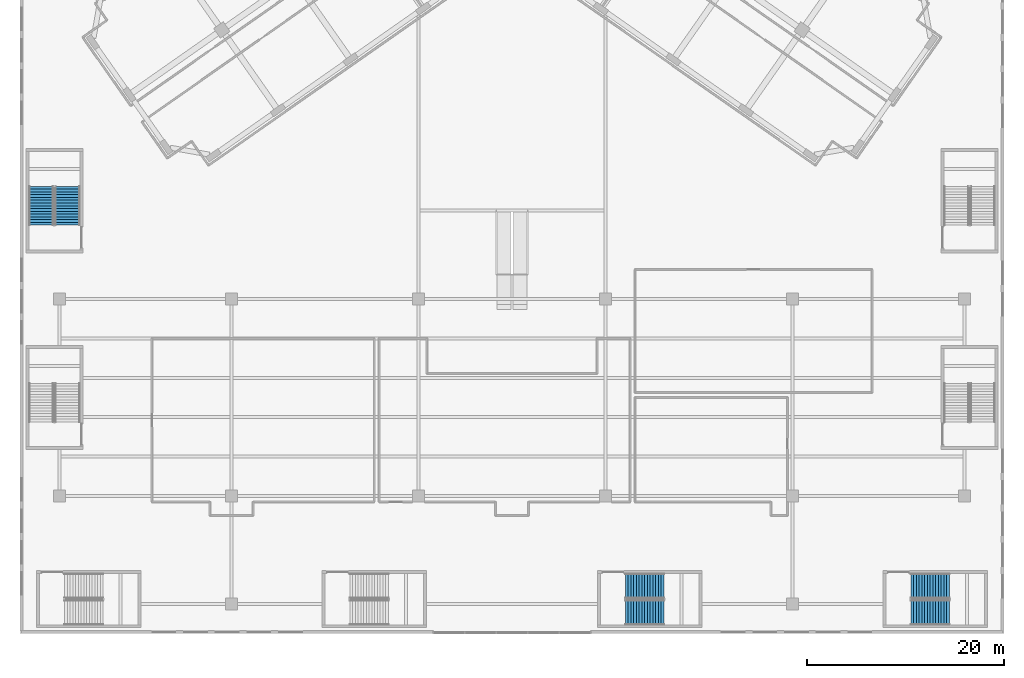
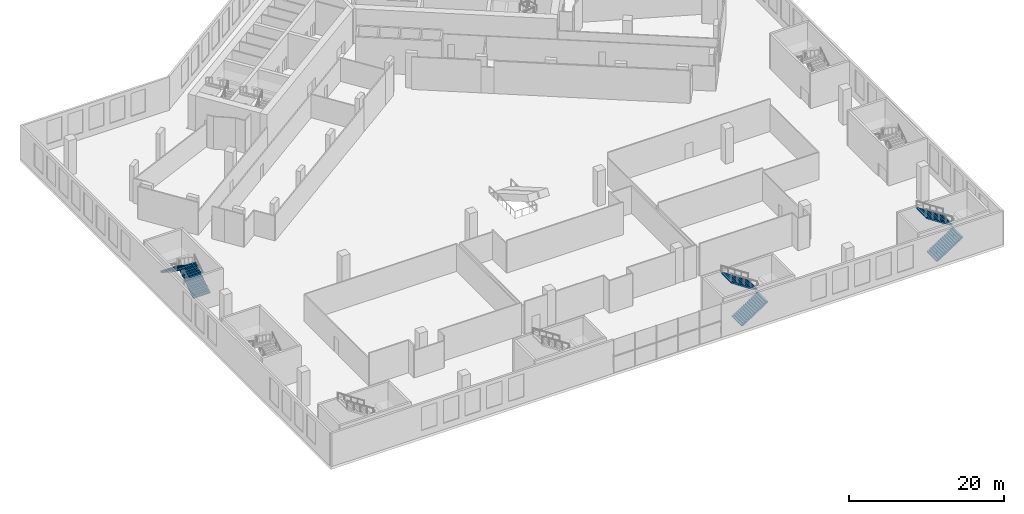
# One storey, part 14 of 26: 6 stair flights, 3 elements without a shape of their own.
"""IFC4 building model written with IfcOpenShell, lengths in metres."""

from ifc_helpers import new_model, si_unit, direction, frame, origin, place, context, subcontext, project, spatial, polyline, outline, extrude, material, type_object, element, aggregate, save


model = new_model("IFC4")

# Units and contexts
model_context = context("Model", 3, precision=1e-05, world=origin(), true_north=direction((0.0, 1.0)))
body_context = subcontext(model_context, "Body", "Model", "MODEL_VIEW")
ifc_project = project(units=[si_unit("LENGTHUNIT", "METRE"), si_unit("AREAUNIT", "SQUARE_METRE"), si_unit("VOLUMEUNIT", "CUBIC_METRE"), si_unit("PLANEANGLEUNIT", "RADIAN"), si_unit("MASSUNIT", "GRAM", prefix="KILO")], contexts=[model_context])

# Site, building, storey
site_placement = place(None, origin())
site = spatial("IfcSite", under=ifc_project, at=site_placement, CompositionType="ELEMENT")
building_placement = place(site_placement, origin())
building = spatial("IfcBuilding", under=site, at=building_placement, Name="Tel Ilan Convention Tower", CompositionType="ELEMENT")
storey_placement = place(building_placement, frame((0.0, 0.0, 37.5)))
storey = spatial("IfcBuildingStorey", under=building, at=storey_placement, Name="L05", CompositionType="ELEMENT", Elevation=37.5)

# Stair, stair flights
ifc_material_1 = material(Name="Concrete C40/50", Category="concrete")
stair_type = type_object("IfcStairType", Name="Pressurised Exit Stair 30 risers 183 mm", PredefinedType="HALF_TURN_STAIR", material=ifc_material_1)
stair_1_placement = place(storey_placement, origin())
stair_1 = element("IfcStair", 1, at=stair_1_placement, inside=storey, type_object=stair_type, Name="L05 Podium Exit Stair P3", PredefinedType="HALF_TURN_STAIR")
ifc_material_2 = material(Name="Precast Concrete C40/50", Category="concrete")
stair_flight_type = type_object("IfcStairFlightType", Name="Concrete Stair Flight 2525 mm 30 risers 183 mm", PredefinedType="STRAIGHT", material=ifc_material_2)
stair_flight_1_placement = place(storey_placement, frame((11.52490234375, -79.83740234375, 0.0), z_axis=(0.0, 0.0, 1.0), x_axis=(1.0, 0.0, 0.0)))
stair_flight_1 = element("IfcStairFlight", 2, at=stair_flight_1_placement, type_object=stair_flight_type, Name="P3 flight 1", NumberOfRisers=15, NumberOfTreads=14, PredefinedType="STRAIGHT", RiserHeight=0.183333333, TreadLength=0.28, context=body_context, shape_type="SweptSolid", body=[
    extrude(outline(polyline([(0.0, 0.0), (0.0, 0.183349609375), (0.280029296875, 0.183349609375), (0.280029296875, 0.36669921875), (0.56005859375, 0.36669921875), (0.56005859375, 0.550048828125), (0.840087890625, 0.550048828125), (0.840087890625, 0.7333984375), (1.1201171875, 0.7333984375), (1.1201171875, 0.916748046875), (1.39990234375, 0.916748046875), (1.39990234375, 1.10009765625), (1.679931640625, 1.10009765625), (1.679931640625, 1.283447265625), (1.9599609375, 1.283447265625), (1.9599609375, 1.466552734375), (2.239990234375, 1.466552734375), (2.239990234375, 1.64990234375), (2.52001953125, 1.64990234375), (2.52001953125, 1.833251953125), (2.800048828125, 1.833251953125), (2.800048828125, 2.0166015625), (3.080078125, 2.0166015625), (3.080078125, 2.199951171875), (3.360107421875, 2.199951171875), (3.360107421875, 2.38330078125), (3.639892578125, 2.38330078125), (3.639892578125, 2.566650390625), (3.919921875, 2.566650390625), (3.919921875, 2.75), (3.919921875, 2.387451171875), (0.273681640625, 0.0), (0.0, 0.0)])), frame((0.0, -0.100341796875, 0.0), z_axis=(0.0, -1.0, 0.0), x_axis=(1.0, 0.0, 0.0)), (0.0, 0.0, 1.0), 1.162109375),
    extrude(outline(polyline([(0.0, 0.0), (0.0, 0.183349609375), (0.280029296875, 0.183349609375), (0.280029296875, 0.36669921875), (0.56005859375, 0.36669921875), (0.56005859375, 0.550048828125), (0.840087890625, 0.550048828125), (0.840087890625, 0.7333984375), (1.1201171875, 0.7333984375), (1.1201171875, 0.916748046875), (1.39990234375, 0.916748046875), (1.39990234375, 1.10009765625), (1.679931640625, 1.10009765625), (1.679931640625, 1.283447265625), (1.9599609375, 1.283447265625), (1.9599609375, 1.466552734375), (2.239990234375, 1.466552734375), (2.239990234375, 1.64990234375), (2.52001953125, 1.64990234375), (2.52001953125, 1.833251953125), (2.800048828125, 1.833251953125), (2.800048828125, 2.0166015625), (3.080078125, 2.0166015625), (3.080078125, 2.199951171875), (3.360107421875, 2.199951171875), (3.360107421875, 2.38330078125), (3.639892578125, 2.38330078125), (3.639892578125, 2.566650390625), (3.919921875, 2.566650390625), (3.919921875, 2.75), (3.919921875, 2.387451171875), (0.273681640625, 0.0), (0.0, 0.0)])), frame((0.0, -0.000244140625, 0.0), z_axis=(0.0, -1.0, 0.0), x_axis=(1.0, 0.0, 0.0)), (0.0, 0.0, 1.0), 0.099609375),
    extrude(outline(polyline([(0.0, 0.0), (0.0, 0.183349609375), (0.280029296875, 0.183349609375), (0.280029296875, 0.36669921875), (0.56005859375, 0.36669921875), (0.56005859375, 0.550048828125), (0.840087890625, 0.550048828125), (0.840087890625, 0.7333984375), (1.1201171875, 0.7333984375), (1.1201171875, 0.916748046875), (1.39990234375, 0.916748046875), (1.39990234375, 1.10009765625), (1.679931640625, 1.10009765625), (1.679931640625, 1.283447265625), (1.9599609375, 1.283447265625), (1.9599609375, 1.466552734375), (2.239990234375, 1.466552734375), (2.239990234375, 1.64990234375), (2.52001953125, 1.64990234375), (2.52001953125, 1.833251953125), (2.800048828125, 1.833251953125), (2.800048828125, 2.0166015625), (3.080078125, 2.0166015625), (3.080078125, 2.199951171875), (3.360107421875, 2.199951171875), (3.360107421875, 2.38330078125), (3.639892578125, 2.38330078125), (3.639892578125, 2.566650390625), (3.919921875, 2.566650390625), (3.919921875, 2.75), (3.919921875, 2.387451171875), (0.273681640625, 0.0), (0.0, 0.0)])), frame((0.0, 0.099853515625, 0.0), z_axis=(0.0, -1.0, 0.0), x_axis=(1.0, 0.0, 0.0)), (0.0, 0.0, 1.0), 0.099609375),
    extrude(outline(polyline([(0.0, 0.0), (0.0, 0.183349609375), (0.280029296875, 0.183349609375), (0.280029296875, 0.36669921875), (0.56005859375, 0.36669921875), (0.56005859375, 0.550048828125), (0.840087890625, 0.550048828125), (0.840087890625, 0.7333984375), (1.1201171875, 0.7333984375), (1.1201171875, 0.916748046875), (1.39990234375, 0.916748046875), (1.39990234375, 1.10009765625), (1.679931640625, 1.10009765625), (1.679931640625, 1.283447265625), (1.9599609375, 1.283447265625), (1.9599609375, 1.466552734375), (2.239990234375, 1.466552734375), (2.239990234375, 1.64990234375), (2.52001953125, 1.64990234375), (2.52001953125, 1.833251953125), (2.800048828125, 1.833251953125), (2.800048828125, 2.0166015625), (3.080078125, 2.0166015625), (3.080078125, 2.199951171875), (3.360107421875, 2.199951171875), (3.360107421875, 2.38330078125), (3.639892578125, 2.38330078125), (3.639892578125, 2.566650390625), (3.919921875, 2.566650390625), (3.919921875, 2.75), (3.919921875, 2.387451171875), (0.273681640625, 0.0), (0.0, 0.0)])), frame((0.0, 1.262451171875, 0.0), z_axis=(0.0, -1.0, 0.0), x_axis=(1.0, 0.0, 0.0)), (0.0, 0.0, 1.0), 1.162109375),
])
stair_flight_2_placement = place(storey_placement, frame((15.445068359375, -77.16259765625, 2.75), z_axis=(0.0, 0.0, 1.0), x_axis=(-1.0, 0.0, 0.0)))
stair_flight_2 = element("IfcStairFlight", 3, at=stair_flight_2_placement, type_object=stair_flight_type, Name="P3 flight 2", NumberOfRisers=15, NumberOfTreads=14, PredefinedType="STRAIGHT", RiserHeight=0.183333333, TreadLength=0.28, context=body_context, shape_type="SweptSolid", body=[
    extrude(outline(polyline([(0.0, 0.0), (0.0, 0.183349609375), (0.280029296875, 0.183349609375), (0.280029296875, 0.36669921875), (0.56005859375, 0.36669921875), (0.56005859375, 0.550048828125), (0.840087890625, 0.550048828125), (0.840087890625, 0.7333984375), (1.1201171875, 0.7333984375), (1.1201171875, 0.916748046875), (1.39990234375, 0.916748046875), (1.39990234375, 1.10009765625), (1.679931640625, 1.10009765625), (1.679931640625, 1.283447265625), (1.9599609375, 1.283447265625), (1.9599609375, 1.466552734375), (2.239990234375, 1.466552734375), (2.239990234375, 1.64990234375), (2.52001953125, 1.64990234375), (2.52001953125, 1.833251953125), (2.800048828125, 1.833251953125), (2.800048828125, 2.0166015625), (3.080078125, 2.0166015625), (3.080078125, 2.199951171875), (3.360107421875, 2.199951171875), (3.360107421875, 2.38330078125), (3.639892578125, 2.38330078125), (3.639892578125, 2.566650390625), (3.919921875, 2.566650390625), (3.919921875, 2.75), (3.919921875, 2.387451171875), (0.273681640625, 0.0), (0.0, 0.0)])), frame((0.0, -0.100341796875, 0.0), z_axis=(0.0, -1.0, 0.0), x_axis=(1.0, 0.0, 0.0)), (0.0, 0.0, 1.0), 1.162109375),
    extrude(outline(polyline([(0.0, 0.0), (0.0, 0.183349609375), (0.280029296875, 0.183349609375), (0.280029296875, 0.36669921875), (0.56005859375, 0.36669921875), (0.56005859375, 0.550048828125), (0.840087890625, 0.550048828125), (0.840087890625, 0.7333984375), (1.1201171875, 0.7333984375), (1.1201171875, 0.916748046875), (1.39990234375, 0.916748046875), (1.39990234375, 1.10009765625), (1.679931640625, 1.10009765625), (1.679931640625, 1.283447265625), (1.9599609375, 1.283447265625), (1.9599609375, 1.466552734375), (2.239990234375, 1.466552734375), (2.239990234375, 1.64990234375), (2.52001953125, 1.64990234375), (2.52001953125, 1.833251953125), (2.800048828125, 1.833251953125), (2.800048828125, 2.0166015625), (3.080078125, 2.0166015625), (3.080078125, 2.199951171875), (3.360107421875, 2.199951171875), (3.360107421875, 2.38330078125), (3.639892578125, 2.38330078125), (3.639892578125, 2.566650390625), (3.919921875, 2.566650390625), (3.919921875, 2.75), (3.919921875, 2.387451171875), (0.273681640625, 0.0), (0.0, 0.0)])), frame((0.0, -0.000244140625, 0.0), z_axis=(0.0, -1.0, 0.0), x_axis=(1.0, 0.0, 0.0)), (0.0, 0.0, 1.0), 0.099609375),
    extrude(outline(polyline([(0.0, 0.0), (0.0, 0.183349609375), (0.280029296875, 0.183349609375), (0.280029296875, 0.36669921875), (0.56005859375, 0.36669921875), (0.56005859375, 0.550048828125), (0.840087890625, 0.550048828125), (0.840087890625, 0.7333984375), (1.1201171875, 0.7333984375), (1.1201171875, 0.916748046875), (1.39990234375, 0.916748046875), (1.39990234375, 1.10009765625), (1.679931640625, 1.10009765625), (1.679931640625, 1.283447265625), (1.9599609375, 1.283447265625), (1.9599609375, 1.466552734375), (2.239990234375, 1.466552734375), (2.239990234375, 1.64990234375), (2.52001953125, 1.64990234375), (2.52001953125, 1.833251953125), (2.800048828125, 1.833251953125), (2.800048828125, 2.0166015625), (3.080078125, 2.0166015625), (3.080078125, 2.199951171875), (3.360107421875, 2.199951171875), (3.360107421875, 2.38330078125), (3.639892578125, 2.38330078125), (3.639892578125, 2.566650390625), (3.919921875, 2.566650390625), (3.919921875, 2.75), (3.919921875, 2.387451171875), (0.273681640625, 0.0), (0.0, 0.0)])), frame((0.0, 0.099853515625, 0.0), z_axis=(0.0, -1.0, 0.0), x_axis=(1.0, 0.0, 0.0)), (0.0, 0.0, 1.0), 0.099609375),
    extrude(outline(polyline([(0.0, 0.0), (0.0, 0.183349609375), (0.280029296875, 0.183349609375), (0.280029296875, 0.36669921875), (0.56005859375, 0.36669921875), (0.56005859375, 0.550048828125), (0.840087890625, 0.550048828125), (0.840087890625, 0.7333984375), (1.1201171875, 0.7333984375), (1.1201171875, 0.916748046875), (1.39990234375, 0.916748046875), (1.39990234375, 1.10009765625), (1.679931640625, 1.10009765625), (1.679931640625, 1.283447265625), (1.9599609375, 1.283447265625), (1.9599609375, 1.466552734375), (2.239990234375, 1.466552734375), (2.239990234375, 1.64990234375), (2.52001953125, 1.64990234375), (2.52001953125, 1.833251953125), (2.800048828125, 1.833251953125), (2.800048828125, 2.0166015625), (3.080078125, 2.0166015625), (3.080078125, 2.199951171875), (3.360107421875, 2.199951171875), (3.360107421875, 2.38330078125), (3.639892578125, 2.38330078125), (3.639892578125, 2.566650390625), (3.919921875, 2.566650390625), (3.919921875, 2.75), (3.919921875, 2.387451171875), (0.273681640625, 0.0), (0.0, 0.0)])), frame((0.0, 1.262451171875, 0.0), z_axis=(0.0, -1.0, 0.0), x_axis=(1.0, 0.0, 0.0)), (0.0, 0.0, 1.0), 1.162109375),
])
aggregate(stair_1, [stair_flight_1, stair_flight_2])

stair_2_placement = place(storey_placement, origin())
stair_2 = element("IfcStair", 4, at=stair_2_placement, inside=storey, type_object=stair_type, Name="L05 Podium Exit Stair P4", PredefinedType="HALF_TURN_STAIR")
stair_flight_3_placement = place(storey_placement, frame((40.52490234375, -79.83740234375, 0.0), z_axis=(0.0, 0.0, 1.0), x_axis=(1.0, 0.0, 0.0)))
stair_flight_3 = element("IfcStairFlight", 5, at=stair_flight_3_placement, type_object=stair_flight_type, Name="P4 flight 1", NumberOfRisers=15, NumberOfTreads=14, PredefinedType="STRAIGHT", RiserHeight=0.183333333, TreadLength=0.28, context=body_context, shape_type="SweptSolid", body=[
    extrude(outline(polyline([(0.0, 0.0), (0.0, 0.183349609375), (0.280029296875, 0.183349609375), (0.280029296875, 0.36669921875), (0.56005859375, 0.36669921875), (0.56005859375, 0.550048828125), (0.840087890625, 0.550048828125), (0.840087890625, 0.7333984375), (1.1201171875, 0.7333984375), (1.1201171875, 0.916748046875), (1.39990234375, 0.916748046875), (1.39990234375, 1.10009765625), (1.679931640625, 1.10009765625), (1.679931640625, 1.283447265625), (1.9599609375, 1.283447265625), (1.9599609375, 1.466552734375), (2.239990234375, 1.466552734375), (2.239990234375, 1.64990234375), (2.52001953125, 1.64990234375), (2.52001953125, 1.833251953125), (2.800048828125, 1.833251953125), (2.800048828125, 2.0166015625), (3.080078125, 2.0166015625), (3.080078125, 2.199951171875), (3.360107421875, 2.199951171875), (3.360107421875, 2.38330078125), (3.639892578125, 2.38330078125), (3.639892578125, 2.566650390625), (3.919921875, 2.566650390625), (3.919921875, 2.75), (3.919921875, 2.387451171875), (0.273681640625, 0.0), (0.0, 0.0)])), frame((0.0, -0.100341796875, 0.0), z_axis=(0.0, -1.0, 0.0), x_axis=(1.0, 0.0, 0.0)), (0.0, 0.0, 1.0), 1.162109375),
    extrude(outline(polyline([(0.0, 0.0), (0.0, 0.183349609375), (0.280029296875, 0.183349609375), (0.280029296875, 0.36669921875), (0.56005859375, 0.36669921875), (0.56005859375, 0.550048828125), (0.840087890625, 0.550048828125), (0.840087890625, 0.7333984375), (1.1201171875, 0.7333984375), (1.1201171875, 0.916748046875), (1.39990234375, 0.916748046875), (1.39990234375, 1.10009765625), (1.679931640625, 1.10009765625), (1.679931640625, 1.283447265625), (1.9599609375, 1.283447265625), (1.9599609375, 1.466552734375), (2.239990234375, 1.466552734375), (2.239990234375, 1.64990234375), (2.52001953125, 1.64990234375), (2.52001953125, 1.833251953125), (2.800048828125, 1.833251953125), (2.800048828125, 2.0166015625), (3.080078125, 2.0166015625), (3.080078125, 2.199951171875), (3.360107421875, 2.199951171875), (3.360107421875, 2.38330078125), (3.639892578125, 2.38330078125), (3.639892578125, 2.566650390625), (3.919921875, 2.566650390625), (3.919921875, 2.75), (3.919921875, 2.387451171875), (0.273681640625, 0.0), (0.0, 0.0)])), frame((0.0, -0.000244140625, 0.0), z_axis=(0.0, -1.0, 0.0), x_axis=(1.0, 0.0, 0.0)), (0.0, 0.0, 1.0), 0.099609375),
    extrude(outline(polyline([(0.0, 0.0), (0.0, 0.183349609375), (0.280029296875, 0.183349609375), (0.280029296875, 0.36669921875), (0.56005859375, 0.36669921875), (0.56005859375, 0.550048828125), (0.840087890625, 0.550048828125), (0.840087890625, 0.7333984375), (1.1201171875, 0.7333984375), (1.1201171875, 0.916748046875), (1.39990234375, 0.916748046875), (1.39990234375, 1.10009765625), (1.679931640625, 1.10009765625), (1.679931640625, 1.283447265625), (1.9599609375, 1.283447265625), (1.9599609375, 1.466552734375), (2.239990234375, 1.466552734375), (2.239990234375, 1.64990234375), (2.52001953125, 1.64990234375), (2.52001953125, 1.833251953125), (2.800048828125, 1.833251953125), (2.800048828125, 2.0166015625), (3.080078125, 2.0166015625), (3.080078125, 2.199951171875), (3.360107421875, 2.199951171875), (3.360107421875, 2.38330078125), (3.639892578125, 2.38330078125), (3.639892578125, 2.566650390625), (3.919921875, 2.566650390625), (3.919921875, 2.75), (3.919921875, 2.387451171875), (0.273681640625, 0.0), (0.0, 0.0)])), frame((0.0, 0.099853515625, 0.0), z_axis=(0.0, -1.0, 0.0), x_axis=(1.0, 0.0, 0.0)), (0.0, 0.0, 1.0), 0.099609375),
    extrude(outline(polyline([(0.0, 0.0), (0.0, 0.183349609375), (0.280029296875, 0.183349609375), (0.280029296875, 0.36669921875), (0.56005859375, 0.36669921875), (0.56005859375, 0.550048828125), (0.840087890625, 0.550048828125), (0.840087890625, 0.7333984375), (1.1201171875, 0.7333984375), (1.1201171875, 0.916748046875), (1.39990234375, 0.916748046875), (1.39990234375, 1.10009765625), (1.679931640625, 1.10009765625), (1.679931640625, 1.283447265625), (1.9599609375, 1.283447265625), (1.9599609375, 1.466552734375), (2.239990234375, 1.466552734375), (2.239990234375, 1.64990234375), (2.52001953125, 1.64990234375), (2.52001953125, 1.833251953125), (2.800048828125, 1.833251953125), (2.800048828125, 2.0166015625), (3.080078125, 2.0166015625), (3.080078125, 2.199951171875), (3.360107421875, 2.199951171875), (3.360107421875, 2.38330078125), (3.639892578125, 2.38330078125), (3.639892578125, 2.566650390625), (3.919921875, 2.566650390625), (3.919921875, 2.75), (3.919921875, 2.387451171875), (0.273681640625, 0.0), (0.0, 0.0)])), frame((0.0, 1.262451171875, 0.0), z_axis=(0.0, -1.0, 0.0), x_axis=(1.0, 0.0, 0.0)), (0.0, 0.0, 1.0), 1.162109375),
])
stair_flight_4_placement = place(storey_placement, frame((44.445068359375, -77.16259765625, 2.75), z_axis=(0.0, 0.0, 1.0), x_axis=(-1.0, 0.0, 0.0)))
stair_flight_4 = element("IfcStairFlight", 6, at=stair_flight_4_placement, type_object=stair_flight_type, Name="P4 flight 2", NumberOfRisers=15, NumberOfTreads=14, PredefinedType="STRAIGHT", RiserHeight=0.183333333, TreadLength=0.28, context=body_context, shape_type="SweptSolid", body=[
    extrude(outline(polyline([(0.0, 0.0), (0.0, 0.183349609375), (0.280029296875, 0.183349609375), (0.280029296875, 0.36669921875), (0.56005859375, 0.36669921875), (0.56005859375, 0.550048828125), (0.840087890625, 0.550048828125), (0.840087890625, 0.7333984375), (1.1201171875, 0.7333984375), (1.1201171875, 0.916748046875), (1.39990234375, 0.916748046875), (1.39990234375, 1.10009765625), (1.679931640625, 1.10009765625), (1.679931640625, 1.283447265625), (1.9599609375, 1.283447265625), (1.9599609375, 1.466552734375), (2.239990234375, 1.466552734375), (2.239990234375, 1.64990234375), (2.52001953125, 1.64990234375), (2.52001953125, 1.833251953125), (2.800048828125, 1.833251953125), (2.800048828125, 2.0166015625), (3.080078125, 2.0166015625), (3.080078125, 2.199951171875), (3.360107421875, 2.199951171875), (3.360107421875, 2.38330078125), (3.639892578125, 2.38330078125), (3.639892578125, 2.566650390625), (3.919921875, 2.566650390625), (3.919921875, 2.75), (3.919921875, 2.387451171875), (0.273681640625, 0.0), (0.0, 0.0)])), frame((0.0, -0.100341796875, 0.0), z_axis=(0.0, -1.0, 0.0), x_axis=(1.0, 0.0, 0.0)), (0.0, 0.0, 1.0), 1.162109375),
    extrude(outline(polyline([(0.0, 0.0), (0.0, 0.183349609375), (0.280029296875, 0.183349609375), (0.280029296875, 0.36669921875), (0.56005859375, 0.36669921875), (0.56005859375, 0.550048828125), (0.840087890625, 0.550048828125), (0.840087890625, 0.7333984375), (1.1201171875, 0.7333984375), (1.1201171875, 0.916748046875), (1.39990234375, 0.916748046875), (1.39990234375, 1.10009765625), (1.679931640625, 1.10009765625), (1.679931640625, 1.283447265625), (1.9599609375, 1.283447265625), (1.9599609375, 1.466552734375), (2.239990234375, 1.466552734375), (2.239990234375, 1.64990234375), (2.52001953125, 1.64990234375), (2.52001953125, 1.833251953125), (2.800048828125, 1.833251953125), (2.800048828125, 2.0166015625), (3.080078125, 2.0166015625), (3.080078125, 2.199951171875), (3.360107421875, 2.199951171875), (3.360107421875, 2.38330078125), (3.639892578125, 2.38330078125), (3.639892578125, 2.566650390625), (3.919921875, 2.566650390625), (3.919921875, 2.75), (3.919921875, 2.387451171875), (0.273681640625, 0.0), (0.0, 0.0)])), frame((0.0, -0.000244140625, 0.0), z_axis=(0.0, -1.0, 0.0), x_axis=(1.0, 0.0, 0.0)), (0.0, 0.0, 1.0), 0.099609375),
    extrude(outline(polyline([(0.0, 0.0), (0.0, 0.183349609375), (0.280029296875, 0.183349609375), (0.280029296875, 0.36669921875), (0.56005859375, 0.36669921875), (0.56005859375, 0.550048828125), (0.840087890625, 0.550048828125), (0.840087890625, 0.7333984375), (1.1201171875, 0.7333984375), (1.1201171875, 0.916748046875), (1.39990234375, 0.916748046875), (1.39990234375, 1.10009765625), (1.679931640625, 1.10009765625), (1.679931640625, 1.283447265625), (1.9599609375, 1.283447265625), (1.9599609375, 1.466552734375), (2.239990234375, 1.466552734375), (2.239990234375, 1.64990234375), (2.52001953125, 1.64990234375), (2.52001953125, 1.833251953125), (2.800048828125, 1.833251953125), (2.800048828125, 2.0166015625), (3.080078125, 2.0166015625), (3.080078125, 2.199951171875), (3.360107421875, 2.199951171875), (3.360107421875, 2.38330078125), (3.639892578125, 2.38330078125), (3.639892578125, 2.566650390625), (3.919921875, 2.566650390625), (3.919921875, 2.75), (3.919921875, 2.387451171875), (0.273681640625, 0.0), (0.0, 0.0)])), frame((0.0, 0.099853515625, 0.0), z_axis=(0.0, -1.0, 0.0), x_axis=(1.0, 0.0, 0.0)), (0.0, 0.0, 1.0), 0.099609375),
    extrude(outline(polyline([(0.0, 0.0), (0.0, 0.183349609375), (0.280029296875, 0.183349609375), (0.280029296875, 0.36669921875), (0.56005859375, 0.36669921875), (0.56005859375, 0.550048828125), (0.840087890625, 0.550048828125), (0.840087890625, 0.7333984375), (1.1201171875, 0.7333984375), (1.1201171875, 0.916748046875), (1.39990234375, 0.916748046875), (1.39990234375, 1.10009765625), (1.679931640625, 1.10009765625), (1.679931640625, 1.283447265625), (1.9599609375, 1.283447265625), (1.9599609375, 1.466552734375), (2.239990234375, 1.466552734375), (2.239990234375, 1.64990234375), (2.52001953125, 1.64990234375), (2.52001953125, 1.833251953125), (2.800048828125, 1.833251953125), (2.800048828125, 2.0166015625), (3.080078125, 2.0166015625), (3.080078125, 2.199951171875), (3.360107421875, 2.199951171875), (3.360107421875, 2.38330078125), (3.639892578125, 2.38330078125), (3.639892578125, 2.566650390625), (3.919921875, 2.566650390625), (3.919921875, 2.75), (3.919921875, 2.387451171875), (0.273681640625, 0.0), (0.0, 0.0)])), frame((0.0, 1.262451171875, 0.0), z_axis=(0.0, -1.0, 0.0), x_axis=(1.0, 0.0, 0.0)), (0.0, 0.0, 1.0), 1.162109375),
])
aggregate(stair_2, [stair_flight_3, stair_flight_4])

stair_3_placement = place(storey_placement, origin())
stair_3 = element("IfcStair", 7, at=stair_3_placement, inside=storey, type_object=stair_type, Name="L05 Podium Exit Stair P7", PredefinedType="HALF_TURN_STAIR")
stair_flight_5_placement = place(storey_placement, frame((-45.16259765625, -40.47509765625, 0.0), z_axis=(0.0, 0.0, 1.0), x_axis=(0.0, 1.0, 0.0)))
stair_flight_5 = element("IfcStairFlight", 8, at=stair_flight_5_placement, type_object=stair_flight_type, Name="P7 flight 1", NumberOfRisers=15, NumberOfTreads=14, PredefinedType="STRAIGHT", RiserHeight=0.183333333, TreadLength=0.28, context=body_context, shape_type="SweptSolid", body=[
    extrude(outline(polyline([(0.0, 0.0), (0.0, 0.183349609375), (0.280029296875, 0.183349609375), (0.280029296875, 0.36669921875), (0.56005859375, 0.36669921875), (0.56005859375, 0.550048828125), (0.840087890625, 0.550048828125), (0.840087890625, 0.7333984375), (1.1201171875, 0.7333984375), (1.1201171875, 0.916748046875), (1.39990234375, 0.916748046875), (1.39990234375, 1.10009765625), (1.679931640625, 1.10009765625), (1.679931640625, 1.283447265625), (1.9599609375, 1.283447265625), (1.9599609375, 1.466552734375), (2.239990234375, 1.466552734375), (2.239990234375, 1.64990234375), (2.52001953125, 1.64990234375), (2.52001953125, 1.833251953125), (2.800048828125, 1.833251953125), (2.800048828125, 2.0166015625), (3.080078125, 2.0166015625), (3.080078125, 2.199951171875), (3.360107421875, 2.199951171875), (3.360107421875, 2.38330078125), (3.639892578125, 2.38330078125), (3.639892578125, 2.566650390625), (3.919921875, 2.566650390625), (3.919921875, 2.75), (3.919921875, 2.387451171875), (0.273681640625, 0.0), (0.0, 0.0)])), frame((0.0, -0.100341796875, 0.0), z_axis=(0.0, -1.0, 0.0), x_axis=(1.0, 0.0, 0.0)), (0.0, 0.0, 1.0), 1.162109375),
    extrude(outline(polyline([(0.0, 0.0), (0.0, 0.183349609375), (0.280029296875, 0.183349609375), (0.280029296875, 0.36669921875), (0.56005859375, 0.36669921875), (0.56005859375, 0.550048828125), (0.840087890625, 0.550048828125), (0.840087890625, 0.7333984375), (1.1201171875, 0.7333984375), (1.1201171875, 0.916748046875), (1.39990234375, 0.916748046875), (1.39990234375, 1.10009765625), (1.679931640625, 1.10009765625), (1.679931640625, 1.283447265625), (1.9599609375, 1.283447265625), (1.9599609375, 1.466552734375), (2.239990234375, 1.466552734375), (2.239990234375, 1.64990234375), (2.52001953125, 1.64990234375), (2.52001953125, 1.833251953125), (2.800048828125, 1.833251953125), (2.800048828125, 2.0166015625), (3.080078125, 2.0166015625), (3.080078125, 2.199951171875), (3.360107421875, 2.199951171875), (3.360107421875, 2.38330078125), (3.639892578125, 2.38330078125), (3.639892578125, 2.566650390625), (3.919921875, 2.566650390625), (3.919921875, 2.75), (3.919921875, 2.387451171875), (0.273681640625, 0.0), (0.0, 0.0)])), frame((0.0, -0.000244140625, 0.0), z_axis=(0.0, -1.0, 0.0), x_axis=(1.0, 0.0, 0.0)), (0.0, 0.0, 1.0), 0.099609375),
    extrude(outline(polyline([(0.0, 0.0), (0.0, 0.183349609375), (0.280029296875, 0.183349609375), (0.280029296875, 0.36669921875), (0.56005859375, 0.36669921875), (0.56005859375, 0.550048828125), (0.840087890625, 0.550048828125), (0.840087890625, 0.7333984375), (1.1201171875, 0.7333984375), (1.1201171875, 0.916748046875), (1.39990234375, 0.916748046875), (1.39990234375, 1.10009765625), (1.679931640625, 1.10009765625), (1.679931640625, 1.283447265625), (1.9599609375, 1.283447265625), (1.9599609375, 1.466552734375), (2.239990234375, 1.466552734375), (2.239990234375, 1.64990234375), (2.52001953125, 1.64990234375), (2.52001953125, 1.833251953125), (2.800048828125, 1.833251953125), (2.800048828125, 2.0166015625), (3.080078125, 2.0166015625), (3.080078125, 2.199951171875), (3.360107421875, 2.199951171875), (3.360107421875, 2.38330078125), (3.639892578125, 2.38330078125), (3.639892578125, 2.566650390625), (3.919921875, 2.566650390625), (3.919921875, 2.75), (3.919921875, 2.387451171875), (0.273681640625, 0.0), (0.0, 0.0)])), frame((0.0, 0.099853515625, 0.0), z_axis=(0.0, -1.0, 0.0), x_axis=(1.0, 0.0, 0.0)), (0.0, 0.0, 1.0), 0.099609375),
    extrude(outline(polyline([(0.0, 0.0), (0.0, 0.183349609375), (0.280029296875, 0.183349609375), (0.280029296875, 0.36669921875), (0.56005859375, 0.36669921875), (0.56005859375, 0.550048828125), (0.840087890625, 0.550048828125), (0.840087890625, 0.7333984375), (1.1201171875, 0.7333984375), (1.1201171875, 0.916748046875), (1.39990234375, 0.916748046875), (1.39990234375, 1.10009765625), (1.679931640625, 1.10009765625), (1.679931640625, 1.283447265625), (1.9599609375, 1.283447265625), (1.9599609375, 1.466552734375), (2.239990234375, 1.466552734375), (2.239990234375, 1.64990234375), (2.52001953125, 1.64990234375), (2.52001953125, 1.833251953125), (2.800048828125, 1.833251953125), (2.800048828125, 2.0166015625), (3.080078125, 2.0166015625), (3.080078125, 2.199951171875), (3.360107421875, 2.199951171875), (3.360107421875, 2.38330078125), (3.639892578125, 2.38330078125), (3.639892578125, 2.566650390625), (3.919921875, 2.566650390625), (3.919921875, 2.75), (3.919921875, 2.387451171875), (0.273681640625, 0.0), (0.0, 0.0)])), frame((0.0, 1.262451171875, 0.0), z_axis=(0.0, -1.0, 0.0), x_axis=(1.0, 0.0, 0.0)), (0.0, 0.0, 1.0), 1.162109375),
])
stair_flight_6_placement = place(storey_placement, frame((-47.83740234375, -36.554931640625, 2.75), z_axis=(0.0, 0.0, 1.0), x_axis=(0.0, -1.0, 0.0)))
stair_flight_6 = element("IfcStairFlight", 9, at=stair_flight_6_placement, type_object=stair_flight_type, Name="P7 flight 2", NumberOfRisers=15, NumberOfTreads=14, PredefinedType="STRAIGHT", RiserHeight=0.183333333, TreadLength=0.28, context=body_context, shape_type="SweptSolid", body=[
    extrude(outline(polyline([(0.0, 0.0), (0.0, 0.183349609375), (0.280029296875, 0.183349609375), (0.280029296875, 0.36669921875), (0.56005859375, 0.36669921875), (0.56005859375, 0.550048828125), (0.840087890625, 0.550048828125), (0.840087890625, 0.7333984375), (1.1201171875, 0.7333984375), (1.1201171875, 0.916748046875), (1.39990234375, 0.916748046875), (1.39990234375, 1.10009765625), (1.679931640625, 1.10009765625), (1.679931640625, 1.283447265625), (1.9599609375, 1.283447265625), (1.9599609375, 1.466552734375), (2.239990234375, 1.466552734375), (2.239990234375, 1.64990234375), (2.52001953125, 1.64990234375), (2.52001953125, 1.833251953125), (2.800048828125, 1.833251953125), (2.800048828125, 2.0166015625), (3.080078125, 2.0166015625), (3.080078125, 2.199951171875), (3.360107421875, 2.199951171875), (3.360107421875, 2.38330078125), (3.639892578125, 2.38330078125), (3.639892578125, 2.566650390625), (3.919921875, 2.566650390625), (3.919921875, 2.75), (3.919921875, 2.387451171875), (0.273681640625, 0.0), (0.0, 0.0)])), frame((0.0, -0.100341796875, 0.0), z_axis=(0.0, -1.0, 0.0), x_axis=(1.0, 0.0, 0.0)), (0.0, 0.0, 1.0), 1.162109375),
    extrude(outline(polyline([(0.0, 0.0), (0.0, 0.183349609375), (0.280029296875, 0.183349609375), (0.280029296875, 0.36669921875), (0.56005859375, 0.36669921875), (0.56005859375, 0.550048828125), (0.840087890625, 0.550048828125), (0.840087890625, 0.7333984375), (1.1201171875, 0.7333984375), (1.1201171875, 0.916748046875), (1.39990234375, 0.916748046875), (1.39990234375, 1.10009765625), (1.679931640625, 1.10009765625), (1.679931640625, 1.283447265625), (1.9599609375, 1.283447265625), (1.9599609375, 1.466552734375), (2.239990234375, 1.466552734375), (2.239990234375, 1.64990234375), (2.52001953125, 1.64990234375), (2.52001953125, 1.833251953125), (2.800048828125, 1.833251953125), (2.800048828125, 2.0166015625), (3.080078125, 2.0166015625), (3.080078125, 2.199951171875), (3.360107421875, 2.199951171875), (3.360107421875, 2.38330078125), (3.639892578125, 2.38330078125), (3.639892578125, 2.566650390625), (3.919921875, 2.566650390625), (3.919921875, 2.75), (3.919921875, 2.387451171875), (0.273681640625, 0.0), (0.0, 0.0)])), frame((0.0, -0.000244140625, 0.0), z_axis=(0.0, -1.0, 0.0), x_axis=(1.0, 0.0, 0.0)), (0.0, 0.0, 1.0), 0.099609375),
    extrude(outline(polyline([(0.0, 0.0), (0.0, 0.183349609375), (0.280029296875, 0.183349609375), (0.280029296875, 0.36669921875), (0.56005859375, 0.36669921875), (0.56005859375, 0.550048828125), (0.840087890625, 0.550048828125), (0.840087890625, 0.7333984375), (1.1201171875, 0.7333984375), (1.1201171875, 0.916748046875), (1.39990234375, 0.916748046875), (1.39990234375, 1.10009765625), (1.679931640625, 1.10009765625), (1.679931640625, 1.283447265625), (1.9599609375, 1.283447265625), (1.9599609375, 1.466552734375), (2.239990234375, 1.466552734375), (2.239990234375, 1.64990234375), (2.52001953125, 1.64990234375), (2.52001953125, 1.833251953125), (2.800048828125, 1.833251953125), (2.800048828125, 2.0166015625), (3.080078125, 2.0166015625), (3.080078125, 2.199951171875), (3.360107421875, 2.199951171875), (3.360107421875, 2.38330078125), (3.639892578125, 2.38330078125), (3.639892578125, 2.566650390625), (3.919921875, 2.566650390625), (3.919921875, 2.75), (3.919921875, 2.387451171875), (0.273681640625, 0.0), (0.0, 0.0)])), frame((0.0, 0.099853515625, 0.0), z_axis=(0.0, -1.0, 0.0), x_axis=(1.0, 0.0, 0.0)), (0.0, 0.0, 1.0), 0.099609375),
    extrude(outline(polyline([(0.0, 0.0), (0.0, 0.183349609375), (0.280029296875, 0.183349609375), (0.280029296875, 0.36669921875), (0.56005859375, 0.36669921875), (0.56005859375, 0.550048828125), (0.840087890625, 0.550048828125), (0.840087890625, 0.7333984375), (1.1201171875, 0.7333984375), (1.1201171875, 0.916748046875), (1.39990234375, 0.916748046875), (1.39990234375, 1.10009765625), (1.679931640625, 1.10009765625), (1.679931640625, 1.283447265625), (1.9599609375, 1.283447265625), (1.9599609375, 1.466552734375), (2.239990234375, 1.466552734375), (2.239990234375, 1.64990234375), (2.52001953125, 1.64990234375), (2.52001953125, 1.833251953125), (2.800048828125, 1.833251953125), (2.800048828125, 2.0166015625), (3.080078125, 2.0166015625), (3.080078125, 2.199951171875), (3.360107421875, 2.199951171875), (3.360107421875, 2.38330078125), (3.639892578125, 2.38330078125), (3.639892578125, 2.566650390625), (3.919921875, 2.566650390625), (3.919921875, 2.75), (3.919921875, 2.387451171875), (0.273681640625, 0.0), (0.0, 0.0)])), frame((0.0, 1.262451171875, 0.0), z_axis=(0.0, -1.0, 0.0), x_axis=(1.0, 0.0, 0.0)), (0.0, 0.0, 1.0), 1.162109375),
])
aggregate(stair_3, [stair_flight_5, stair_flight_6])

save(model, "model.ifc")
